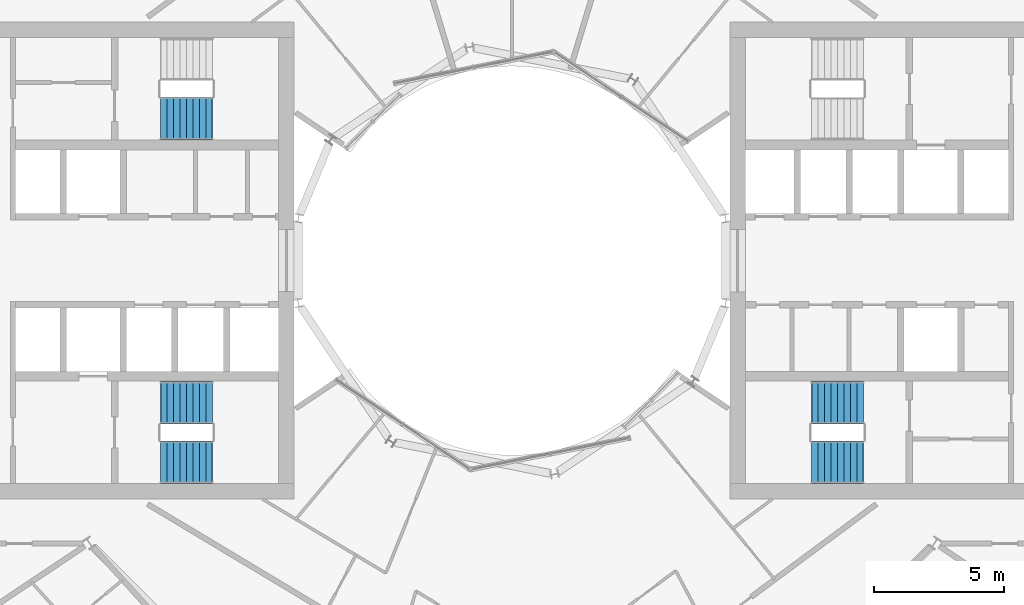
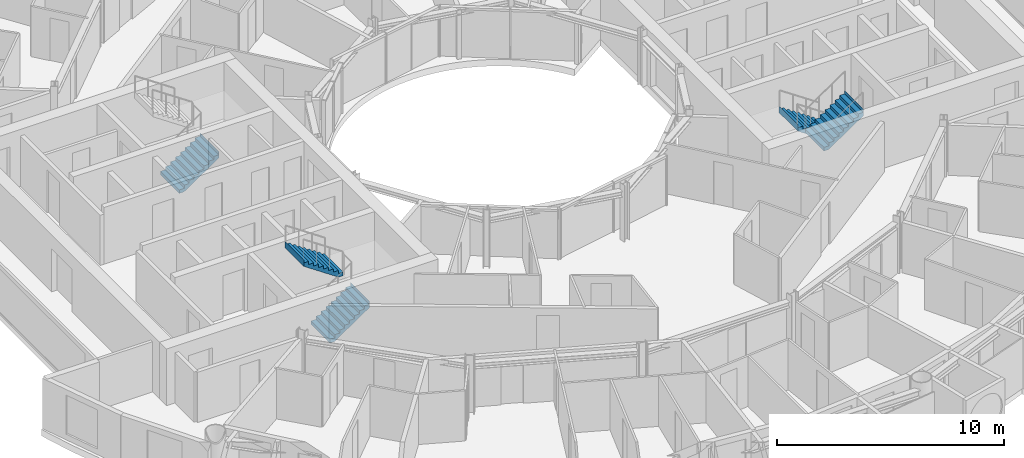
# One storey, part 24 of 27: 5 stair flights, 3 elements without a shape of their own.
"""IFC4 building model written with IfcOpenShell, lengths in metres."""

from ifc_helpers import new_model, si_unit, direction, frame, origin, place, context, subcontext, project, spatial, triangles, material, type_object, element, aggregate, save


model = new_model("IFC4")

# Units and contexts
model_context = context("Model", 3, precision=1e-05, world=origin(), true_north=direction((0.0, 1.0)))
body_context = subcontext(model_context, "Body", "Model", "MODEL_VIEW")
ifc_project = project(units=[si_unit("LENGTHUNIT", "METRE"), si_unit("AREAUNIT", "SQUARE_METRE"), si_unit("VOLUMEUNIT", "CUBIC_METRE"), si_unit("PLANEANGLEUNIT", "RADIAN"), si_unit("MASSUNIT", "GRAM", prefix="KILO")], contexts=[model_context])

# Site, building, storey
site_placement = place(None, origin())
site = spatial("IfcSite", under=ifc_project, at=site_placement, CompositionType="ELEMENT")
building_placement = place(site_placement, origin())
building = spatial("IfcBuilding", under=site, at=building_placement, Name="Maasbend Ring Residences", CompositionType="ELEMENT")
storey_placement = place(building_placement, frame((0.0, 0.0, 117.75)))
storey = spatial("IfcBuildingStorey", under=building, at=storey_placement, Name="L33", CompositionType="ELEMENT", Elevation=117.75)

# Stair, stair flights
ifc_material_1 = material(Name="Concrete C40/50", Category="concrete")
stair_type = type_object("IfcStairType", Name="CORE STAIR 18 RISERS", PredefinedType="HALF_TURN_STAIR", material=ifc_material_1)
stair_1_placement = place(storey_placement, origin())
stair_1 = element("IfcStair", 1, at=stair_1_placement, inside=storey, type_object=stair_type, Name="L33 Exit stair ST-E2", PredefinedType="HALF_TURN_STAIR")
ifc_material_2 = material(Name="Concrete C40/50", Category="concrete")
stair_flight_type = type_object("IfcStairFlightType", Name="CORE STAIR FLIGHT 1650", PredefinedType="STRAIGHT", material=ifc_material_2)
stair_flight_1_placement = place(storey_placement, frame((13.550048828125, -5.47509765625, 0.0), z_axis=(0.0, 0.0, 1.0), x_axis=(-1.0, 0.0, 0.0)))
stair_flight_1 = element("IfcStairFlight", 2, at=stair_flight_1_placement, type_object=stair_flight_type, Name="ST-E2 flight 1", NumberOfRisers=9, NumberOfTreads=8, PredefinedType="STRAIGHT", RiserHeight=0.169444444, TreadLength=0.25, context=body_context, shape_type="Tessellation", body=[
    triangles([(0.24072265625, 0.824951171875, -0.02001953125), (2.0029296875, 0.824951171875, 1.174560546875), (2.0029296875, 0.824951171875, 1.52490234375), (1.989990234375, 0.824951171875, 1.35546875), (1.75, 0.824951171875, 1.35546875), (1.75, 0.824951171875, 1.18603515625), (1.5, 0.824951171875, 1.18603515625), (1.5, 0.824951171875, 1.0166015625), (1.25, 0.824951171875, 1.0166015625), (1.25, 0.824951171875, 0.84716796875), (1.0, 0.824951171875, 0.84716796875), (1.0, 0.824951171875, 0.677734375), (0.75, 0.824951171875, 0.677734375), (0.75, 0.824951171875, 0.50830078125), (0.5, 0.824951171875, 0.50830078125), (0.5, 0.824951171875, 0.3388671875), (0.25, 0.824951171875, 0.3388671875), (0.25, 0.824951171875, 0.16943359375), (0.0, 0.824951171875, 0.16943359375), (0.0, 0.824951171875, 0.0), (-0.0029296875, 0.824951171875, 0.0), (-0.0029296875, 0.824951171875, -0.02001953125), (0.24072265625, 0.27490234375, -0.02001953125), (2.0029296875, 0.27490234375, 1.174560546875), (2.0029296875, 0.27490234375, 1.52490234375), (1.989990234375, 0.27490234375, 1.35546875), (1.75, 0.27490234375, 1.35546875), (1.75, 0.27490234375, 1.18603515625), (1.5, 0.27490234375, 1.18603515625), (1.5, 0.27490234375, 1.0166015625), (1.25, 0.27490234375, 1.0166015625), (1.25, 0.27490234375, 0.84716796875), (1.0, 0.27490234375, 0.84716796875), (1.0, 0.27490234375, 0.677734375), (0.75, 0.27490234375, 0.677734375), (0.75, 0.27490234375, 0.50830078125), (0.5, 0.27490234375, 0.50830078125), (0.5, 0.27490234375, 0.3388671875), (0.25, 0.27490234375, 0.3388671875), (0.25, 0.27490234375, 0.16943359375), (0.0, 0.27490234375, 0.16943359375), (0.0, 0.27490234375, 0.0), (-0.0029296875, 0.27490234375, 0.0), (-0.0029296875, 0.27490234375, -0.02001953125), (0.24072265625, -0.27490234375, -0.02001953125), (2.0029296875, -0.27490234375, 1.174560546875), (2.0029296875, -0.27490234375, 1.52490234375), (1.989990234375, -0.27490234375, 1.35546875), (1.75, -0.27490234375, 1.35546875), (1.75, -0.27490234375, 1.18603515625), (1.5, -0.27490234375, 1.18603515625), (1.5, -0.27490234375, 1.0166015625), (1.25, -0.27490234375, 1.0166015625), (1.25, -0.27490234375, 0.84716796875), (1.0, -0.27490234375, 0.84716796875), (1.0, -0.27490234375, 0.677734375), (0.75, -0.27490234375, 0.677734375), (0.75, -0.27490234375, 0.50830078125), (0.5, -0.27490234375, 0.50830078125), (0.5, -0.27490234375, 0.3388671875), (0.25, -0.27490234375, 0.3388671875), (0.25, -0.27490234375, 0.16943359375), (0.0, -0.27490234375, 0.16943359375), (0.0, -0.27490234375, 0.0), (-0.0029296875, -0.27490234375, 0.0), (-0.0029296875, -0.27490234375, -0.02001953125), (0.24072265625, -0.824951171875, -0.02001953125), (2.0029296875, -0.824951171875, 1.174560546875), (2.0029296875, -0.824951171875, 1.52490234375), (1.989990234375, -0.824951171875, 1.35546875), (1.75, -0.824951171875, 1.35546875), (1.75, -0.824951171875, 1.18603515625), (1.5, -0.824951171875, 1.18603515625), (1.5, -0.824951171875, 1.0166015625), (1.25, -0.824951171875, 1.0166015625), (1.25, -0.824951171875, 0.84716796875), (1.0, -0.824951171875, 0.84716796875), (1.0, -0.824951171875, 0.677734375), (0.75, -0.824951171875, 0.677734375), (0.75, -0.824951171875, 0.50830078125), (0.5, -0.824951171875, 0.50830078125), (0.5, -0.824951171875, 0.3388671875), (0.25, -0.824951171875, 0.3388671875), (0.25, -0.824951171875, 0.16943359375), (0.0, -0.824951171875, 0.16943359375), (0.0, -0.824951171875, 0.0), (-0.0029296875, -0.824951171875, 0.0), (-0.0029296875, -0.824951171875, -0.02001953125)], [[1, 2, 24], [1, 24, 23], [23, 24, 46], [23, 46, 45], [45, 46, 68], [45, 68, 67], [2, 3, 25], [2, 25, 24], [24, 25, 47], [24, 47, 46], [46, 47, 69], [46, 69, 68], [3, 4, 26], [3, 26, 25], [25, 26, 48], [25, 48, 47], [47, 48, 70], [47, 70, 69], [4, 5, 27], [4, 27, 26], [26, 27, 49], [26, 49, 48], [48, 49, 71], [48, 71, 70], [5, 6, 28], [5, 28, 27], [27, 28, 50], [27, 50, 49], [49, 50, 72], [49, 72, 71], [6, 7, 29], [6, 29, 28], [28, 29, 51], [28, 51, 50], [50, 51, 73], [50, 73, 72], [7, 8, 30], [7, 30, 29], [29, 30, 52], [29, 52, 51], [51, 52, 74], [51, 74, 73], [8, 9, 31], [8, 31, 30], [30, 31, 53], [30, 53, 52], [52, 53, 75], [52, 75, 74], [9, 10, 32], [9, 32, 31], [31, 32, 54], [31, 54, 53], [53, 54, 76], [53, 76, 75], [10, 11, 33], [10, 33, 32], [32, 33, 55], [32, 55, 54], [54, 55, 77], [54, 77, 76], [11, 12, 34], [11, 34, 33], [33, 34, 56], [33, 56, 55], [55, 56, 78], [55, 78, 77], [12, 13, 35], [12, 35, 34], [34, 35, 57], [34, 57, 56], [56, 57, 79], [56, 79, 78], [13, 14, 36], [13, 36, 35], [35, 36, 58], [35, 58, 57], [57, 58, 80], [57, 80, 79], [14, 15, 37], [14, 37, 36], [36, 37, 59], [36, 59, 58], [58, 59, 81], [58, 81, 80], [15, 16, 38], [15, 38, 37], [37, 38, 60], [37, 60, 59], [59, 60, 82], [59, 82, 81], [16, 17, 39], [16, 39, 38], [38, 39, 61], [38, 61, 60], [60, 61, 83], [60, 83, 82], [17, 18, 40], [17, 40, 39], [39, 40, 62], [39, 62, 61], [61, 62, 84], [61, 84, 83], [18, 19, 41], [18, 41, 40], [40, 41, 63], [40, 63, 62], [62, 63, 85], [62, 85, 84], [19, 20, 42], [19, 42, 41], [41, 42, 64], [41, 64, 63], [63, 64, 86], [63, 86, 85], [20, 21, 43], [20, 43, 42], [42, 43, 65], [42, 65, 64], [64, 65, 87], [64, 87, 86], [21, 22, 44], [21, 44, 43], [43, 44, 66], [43, 66, 65], [65, 66, 88], [65, 88, 87], [22, 1, 23], [22, 23, 44], [44, 23, 45], [44, 45, 66], [66, 45, 67], [66, 67, 88], [22, 2, 1], [2, 4, 3], [2, 5, 4], [2, 6, 5], [22, 6, 2], [6, 8, 7], [22, 8, 6], [8, 10, 9], [22, 10, 8], [10, 12, 11], [22, 12, 10], [12, 14, 13], [22, 14, 12], [14, 16, 15], [22, 16, 14], [16, 18, 17], [22, 18, 16], [18, 20, 19], [22, 20, 18], [20, 22, 21], [88, 67, 68], [68, 69, 70], [68, 70, 71], [68, 71, 72], [88, 68, 72], [72, 73, 74], [88, 72, 74], [74, 75, 76], [88, 74, 76], [76, 77, 78], [88, 76, 78], [78, 79, 80], [88, 78, 80], [80, 81, 82], [88, 80, 82], [82, 83, 84], [88, 82, 84], [84, 85, 86], [88, 84, 86], [86, 87, 88]], closed=True),
])
stair_flight_2_placement = place(storey_placement, frame((11.550048828125, -7.77490234375, 1.52490234375), z_axis=(0.0, 0.0, 1.0), x_axis=(1.0, 0.0, 0.0)))
stair_flight_2 = element("IfcStairFlight", 3, at=stair_flight_2_placement, type_object=stair_flight_type, Name="ST-E2 flight 2", NumberOfRisers=9, NumberOfTreads=8, PredefinedType="STRAIGHT", RiserHeight=0.169444444, TreadLength=0.25, context=body_context, shape_type="Tessellation", body=[
    triangles([(0.24072265625, 0.824951171875, -0.02001953125), (2.0029296875, 0.824951171875, 1.174560546875), (2.0029296875, 0.824951171875, 1.52490234375), (1.989990234375, 0.824951171875, 1.35546875), (1.75, 0.824951171875, 1.35546875), (1.75, 0.824951171875, 1.18603515625), (1.5, 0.824951171875, 1.18603515625), (1.5, 0.824951171875, 1.0166015625), (1.25, 0.824951171875, 1.0166015625), (1.25, 0.824951171875, 0.84716796875), (1.0, 0.824951171875, 0.84716796875), (1.0, 0.824951171875, 0.677734375), (0.75, 0.824951171875, 0.677734375), (0.75, 0.824951171875, 0.50830078125), (0.5, 0.824951171875, 0.50830078125), (0.5, 0.824951171875, 0.3388671875), (0.25, 0.824951171875, 0.3388671875), (0.25, 0.824951171875, 0.16943359375), (0.0, 0.824951171875, 0.16943359375), (0.0, 0.824951171875, 0.0), (-0.0029296875, 0.824951171875, 0.0), (-0.0029296875, 0.824951171875, -0.02001953125), (0.24072265625, 0.27490234375, -0.02001953125), (2.0029296875, 0.27490234375, 1.174560546875), (2.0029296875, 0.27490234375, 1.52490234375), (1.989990234375, 0.27490234375, 1.35546875), (1.75, 0.27490234375, 1.35546875), (1.75, 0.27490234375, 1.18603515625), (1.5, 0.27490234375, 1.18603515625), (1.5, 0.27490234375, 1.0166015625), (1.25, 0.27490234375, 1.0166015625), (1.25, 0.27490234375, 0.84716796875), (1.0, 0.27490234375, 0.84716796875), (1.0, 0.27490234375, 0.677734375), (0.75, 0.27490234375, 0.677734375), (0.75, 0.27490234375, 0.50830078125), (0.5, 0.27490234375, 0.50830078125), (0.5, 0.27490234375, 0.3388671875), (0.25, 0.27490234375, 0.3388671875), (0.25, 0.27490234375, 0.16943359375), (0.0, 0.27490234375, 0.16943359375), (0.0, 0.27490234375, 0.0), (-0.0029296875, 0.27490234375, 0.0), (-0.0029296875, 0.27490234375, -0.02001953125), (0.24072265625, -0.27490234375, -0.02001953125), (2.0029296875, -0.27490234375, 1.174560546875), (2.0029296875, -0.27490234375, 1.52490234375), (1.989990234375, -0.27490234375, 1.35546875), (1.75, -0.27490234375, 1.35546875), (1.75, -0.27490234375, 1.18603515625), (1.5, -0.27490234375, 1.18603515625), (1.5, -0.27490234375, 1.0166015625), (1.25, -0.27490234375, 1.0166015625), (1.25, -0.27490234375, 0.84716796875), (1.0, -0.27490234375, 0.84716796875), (1.0, -0.27490234375, 0.677734375), (0.75, -0.27490234375, 0.677734375), (0.75, -0.27490234375, 0.50830078125), (0.5, -0.27490234375, 0.50830078125), (0.5, -0.27490234375, 0.3388671875), (0.25, -0.27490234375, 0.3388671875), (0.25, -0.27490234375, 0.16943359375), (0.0, -0.27490234375, 0.16943359375), (0.0, -0.27490234375, 0.0), (-0.0029296875, -0.27490234375, 0.0), (-0.0029296875, -0.27490234375, -0.02001953125), (0.24072265625, -0.824951171875, -0.02001953125), (2.0029296875, -0.824951171875, 1.174560546875), (2.0029296875, -0.824951171875, 1.52490234375), (1.989990234375, -0.824951171875, 1.35546875), (1.75, -0.824951171875, 1.35546875), (1.75, -0.824951171875, 1.18603515625), (1.5, -0.824951171875, 1.18603515625), (1.5, -0.824951171875, 1.0166015625), (1.25, -0.824951171875, 1.0166015625), (1.25, -0.824951171875, 0.84716796875), (1.0, -0.824951171875, 0.84716796875), (1.0, -0.824951171875, 0.677734375), (0.75, -0.824951171875, 0.677734375), (0.75, -0.824951171875, 0.50830078125), (0.5, -0.824951171875, 0.50830078125), (0.5, -0.824951171875, 0.3388671875), (0.25, -0.824951171875, 0.3388671875), (0.25, -0.824951171875, 0.16943359375), (0.0, -0.824951171875, 0.16943359375), (0.0, -0.824951171875, 0.0), (-0.0029296875, -0.824951171875, 0.0), (-0.0029296875, -0.824951171875, -0.02001953125)], [[1, 2, 24], [1, 24, 23], [23, 24, 46], [23, 46, 45], [45, 46, 68], [45, 68, 67], [2, 3, 25], [2, 25, 24], [24, 25, 47], [24, 47, 46], [46, 47, 69], [46, 69, 68], [3, 4, 26], [3, 26, 25], [25, 26, 48], [25, 48, 47], [47, 48, 70], [47, 70, 69], [4, 5, 27], [4, 27, 26], [26, 27, 49], [26, 49, 48], [48, 49, 71], [48, 71, 70], [5, 6, 28], [5, 28, 27], [27, 28, 50], [27, 50, 49], [49, 50, 72], [49, 72, 71], [6, 7, 29], [6, 29, 28], [28, 29, 51], [28, 51, 50], [50, 51, 73], [50, 73, 72], [7, 8, 30], [7, 30, 29], [29, 30, 52], [29, 52, 51], [51, 52, 74], [51, 74, 73], [8, 9, 31], [8, 31, 30], [30, 31, 53], [30, 53, 52], [52, 53, 75], [52, 75, 74], [9, 10, 32], [9, 32, 31], [31, 32, 54], [31, 54, 53], [53, 54, 76], [53, 76, 75], [10, 11, 33], [10, 33, 32], [32, 33, 55], [32, 55, 54], [54, 55, 77], [54, 77, 76], [11, 12, 34], [11, 34, 33], [33, 34, 56], [33, 56, 55], [55, 56, 78], [55, 78, 77], [12, 13, 35], [12, 35, 34], [34, 35, 57], [34, 57, 56], [56, 57, 79], [56, 79, 78], [13, 14, 36], [13, 36, 35], [35, 36, 58], [35, 58, 57], [57, 58, 80], [57, 80, 79], [14, 15, 37], [14, 37, 36], [36, 37, 59], [36, 59, 58], [58, 59, 81], [58, 81, 80], [15, 16, 38], [15, 38, 37], [37, 38, 60], [37, 60, 59], [59, 60, 82], [59, 82, 81], [16, 17, 39], [16, 39, 38], [38, 39, 61], [38, 61, 60], [60, 61, 83], [60, 83, 82], [17, 18, 40], [17, 40, 39], [39, 40, 62], [39, 62, 61], [61, 62, 84], [61, 84, 83], [18, 19, 41], [18, 41, 40], [40, 41, 63], [40, 63, 62], [62, 63, 85], [62, 85, 84], [19, 20, 42], [19, 42, 41], [41, 42, 64], [41, 64, 63], [63, 64, 86], [63, 86, 85], [20, 21, 43], [20, 43, 42], [42, 43, 65], [42, 65, 64], [64, 65, 87], [64, 87, 86], [21, 22, 44], [21, 44, 43], [43, 44, 66], [43, 66, 65], [65, 66, 88], [65, 88, 87], [22, 1, 23], [22, 23, 44], [44, 23, 45], [44, 45, 66], [66, 45, 67], [66, 67, 88], [22, 2, 1], [2, 4, 3], [2, 5, 4], [2, 6, 5], [22, 6, 2], [6, 8, 7], [22, 8, 6], [8, 10, 9], [22, 10, 8], [10, 12, 11], [22, 12, 10], [12, 14, 13], [22, 14, 12], [14, 16, 15], [22, 16, 14], [16, 18, 17], [22, 18, 16], [18, 20, 19], [22, 20, 18], [20, 22, 21], [88, 67, 68], [68, 69, 70], [68, 70, 71], [68, 71, 72], [88, 68, 72], [72, 73, 74], [88, 72, 74], [74, 75, 76], [88, 74, 76], [76, 77, 78], [88, 76, 78], [78, 79, 80], [88, 78, 80], [80, 81, 82], [88, 80, 82], [82, 83, 84], [88, 82, 84], [84, 85, 86], [88, 84, 86], [86, 87, 88]], closed=True),
])
aggregate(stair_1, [stair_flight_1, stair_flight_2])

stair_2_placement = place(storey_placement, origin())
stair_2 = element("IfcStair", 4, at=stair_2_placement, inside=storey, type_object=stair_type, Name="L33 Exit stair ST-W1", PredefinedType="HALF_TURN_STAIR")
stair_flight_3_placement = place(storey_placement, frame((-13.550048828125, -7.77490234375, 0.0), z_axis=(0.0, 0.0, 1.0), x_axis=(1.0, 0.0, 0.0)))
stair_flight_3 = element("IfcStairFlight", 5, at=stair_flight_3_placement, type_object=stair_flight_type, Name="ST-W1 flight 1", NumberOfRisers=9, NumberOfTreads=8, PredefinedType="STRAIGHT", RiserHeight=0.169444444, TreadLength=0.25, context=body_context, shape_type="Tessellation", body=[
    triangles([(0.24072265625, 0.824951171875, -0.02001953125), (2.0029296875, 0.824951171875, 1.174560546875), (2.0029296875, 0.824951171875, 1.52490234375), (1.989990234375, 0.824951171875, 1.35546875), (1.75, 0.824951171875, 1.35546875), (1.75, 0.824951171875, 1.18603515625), (1.5, 0.824951171875, 1.18603515625), (1.5, 0.824951171875, 1.0166015625), (1.25, 0.824951171875, 1.0166015625), (1.25, 0.824951171875, 0.84716796875), (1.0, 0.824951171875, 0.84716796875), (1.0, 0.824951171875, 0.677734375), (0.75, 0.824951171875, 0.677734375), (0.75, 0.824951171875, 0.50830078125), (0.5, 0.824951171875, 0.50830078125), (0.5, 0.824951171875, 0.3388671875), (0.25, 0.824951171875, 0.3388671875), (0.25, 0.824951171875, 0.16943359375), (0.0, 0.824951171875, 0.16943359375), (0.0, 0.824951171875, 0.0), (-0.0029296875, 0.824951171875, 0.0), (-0.0029296875, 0.824951171875, -0.02001953125), (0.24072265625, 0.27490234375, -0.02001953125), (2.0029296875, 0.27490234375, 1.174560546875), (2.0029296875, 0.27490234375, 1.52490234375), (1.989990234375, 0.27490234375, 1.35546875), (1.75, 0.27490234375, 1.35546875), (1.75, 0.27490234375, 1.18603515625), (1.5, 0.27490234375, 1.18603515625), (1.5, 0.27490234375, 1.0166015625), (1.25, 0.27490234375, 1.0166015625), (1.25, 0.27490234375, 0.84716796875), (1.0, 0.27490234375, 0.84716796875), (1.0, 0.27490234375, 0.677734375), (0.75, 0.27490234375, 0.677734375), (0.75, 0.27490234375, 0.50830078125), (0.5, 0.27490234375, 0.50830078125), (0.5, 0.27490234375, 0.3388671875), (0.25, 0.27490234375, 0.3388671875), (0.25, 0.27490234375, 0.16943359375), (0.0, 0.27490234375, 0.16943359375), (0.0, 0.27490234375, 0.0), (-0.0029296875, 0.27490234375, 0.0), (-0.0029296875, 0.27490234375, -0.02001953125), (0.24072265625, -0.27490234375, -0.02001953125), (2.0029296875, -0.27490234375, 1.174560546875), (2.0029296875, -0.27490234375, 1.52490234375), (1.989990234375, -0.27490234375, 1.35546875), (1.75, -0.27490234375, 1.35546875), (1.75, -0.27490234375, 1.18603515625), (1.5, -0.27490234375, 1.18603515625), (1.5, -0.27490234375, 1.0166015625), (1.25, -0.27490234375, 1.0166015625), (1.25, -0.27490234375, 0.84716796875), (1.0, -0.27490234375, 0.84716796875), (1.0, -0.27490234375, 0.677734375), (0.75, -0.27490234375, 0.677734375), (0.75, -0.27490234375, 0.50830078125), (0.5, -0.27490234375, 0.50830078125), (0.5, -0.27490234375, 0.3388671875), (0.25, -0.27490234375, 0.3388671875), (0.25, -0.27490234375, 0.16943359375), (0.0, -0.27490234375, 0.16943359375), (0.0, -0.27490234375, 0.0), (-0.0029296875, -0.27490234375, 0.0), (-0.0029296875, -0.27490234375, -0.02001953125), (0.24072265625, -0.824951171875, -0.02001953125), (2.0029296875, -0.824951171875, 1.174560546875), (2.0029296875, -0.824951171875, 1.52490234375), (1.989990234375, -0.824951171875, 1.35546875), (1.75, -0.824951171875, 1.35546875), (1.75, -0.824951171875, 1.18603515625), (1.5, -0.824951171875, 1.18603515625), (1.5, -0.824951171875, 1.0166015625), (1.25, -0.824951171875, 1.0166015625), (1.25, -0.824951171875, 0.84716796875), (1.0, -0.824951171875, 0.84716796875), (1.0, -0.824951171875, 0.677734375), (0.75, -0.824951171875, 0.677734375), (0.75, -0.824951171875, 0.50830078125), (0.5, -0.824951171875, 0.50830078125), (0.5, -0.824951171875, 0.3388671875), (0.25, -0.824951171875, 0.3388671875), (0.25, -0.824951171875, 0.16943359375), (0.0, -0.824951171875, 0.16943359375), (0.0, -0.824951171875, 0.0), (-0.0029296875, -0.824951171875, 0.0), (-0.0029296875, -0.824951171875, -0.02001953125)], [[1, 2, 24], [1, 24, 23], [23, 24, 46], [23, 46, 45], [45, 46, 68], [45, 68, 67], [2, 3, 25], [2, 25, 24], [24, 25, 47], [24, 47, 46], [46, 47, 69], [46, 69, 68], [3, 4, 26], [3, 26, 25], [25, 26, 48], [25, 48, 47], [47, 48, 70], [47, 70, 69], [4, 5, 27], [4, 27, 26], [26, 27, 49], [26, 49, 48], [48, 49, 71], [48, 71, 70], [5, 6, 28], [5, 28, 27], [27, 28, 50], [27, 50, 49], [49, 50, 72], [49, 72, 71], [6, 7, 29], [6, 29, 28], [28, 29, 51], [28, 51, 50], [50, 51, 73], [50, 73, 72], [7, 8, 30], [7, 30, 29], [29, 30, 52], [29, 52, 51], [51, 52, 74], [51, 74, 73], [8, 9, 31], [8, 31, 30], [30, 31, 53], [30, 53, 52], [52, 53, 75], [52, 75, 74], [9, 10, 32], [9, 32, 31], [31, 32, 54], [31, 54, 53], [53, 54, 76], [53, 76, 75], [10, 11, 33], [10, 33, 32], [32, 33, 55], [32, 55, 54], [54, 55, 77], [54, 77, 76], [11, 12, 34], [11, 34, 33], [33, 34, 56], [33, 56, 55], [55, 56, 78], [55, 78, 77], [12, 13, 35], [12, 35, 34], [34, 35, 57], [34, 57, 56], [56, 57, 79], [56, 79, 78], [13, 14, 36], [13, 36, 35], [35, 36, 58], [35, 58, 57], [57, 58, 80], [57, 80, 79], [14, 15, 37], [14, 37, 36], [36, 37, 59], [36, 59, 58], [58, 59, 81], [58, 81, 80], [15, 16, 38], [15, 38, 37], [37, 38, 60], [37, 60, 59], [59, 60, 82], [59, 82, 81], [16, 17, 39], [16, 39, 38], [38, 39, 61], [38, 61, 60], [60, 61, 83], [60, 83, 82], [17, 18, 40], [17, 40, 39], [39, 40, 62], [39, 62, 61], [61, 62, 84], [61, 84, 83], [18, 19, 41], [18, 41, 40], [40, 41, 63], [40, 63, 62], [62, 63, 85], [62, 85, 84], [19, 20, 42], [19, 42, 41], [41, 42, 64], [41, 64, 63], [63, 64, 86], [63, 86, 85], [20, 21, 43], [20, 43, 42], [42, 43, 65], [42, 65, 64], [64, 65, 87], [64, 87, 86], [21, 22, 44], [21, 44, 43], [43, 44, 66], [43, 66, 65], [65, 66, 88], [65, 88, 87], [22, 1, 23], [22, 23, 44], [44, 23, 45], [44, 45, 66], [66, 45, 67], [66, 67, 88], [22, 2, 1], [2, 4, 3], [2, 5, 4], [2, 6, 5], [22, 6, 2], [6, 8, 7], [22, 8, 6], [8, 10, 9], [22, 10, 8], [10, 12, 11], [22, 12, 10], [12, 14, 13], [22, 14, 12], [14, 16, 15], [22, 16, 14], [16, 18, 17], [22, 18, 16], [18, 20, 19], [22, 20, 18], [20, 22, 21], [88, 67, 68], [68, 69, 70], [68, 70, 71], [68, 71, 72], [88, 68, 72], [72, 73, 74], [88, 72, 74], [74, 75, 76], [88, 74, 76], [76, 77, 78], [88, 76, 78], [78, 79, 80], [88, 78, 80], [80, 81, 82], [88, 80, 82], [82, 83, 84], [88, 82, 84], [84, 85, 86], [88, 84, 86], [86, 87, 88]], closed=True),
])
stair_flight_4_placement = place(storey_placement, frame((-11.550048828125, -5.47509765625, 1.52490234375), z_axis=(0.0, 0.0, 1.0), x_axis=(-1.0, 0.0, 0.0)))
stair_flight_4 = element("IfcStairFlight", 6, at=stair_flight_4_placement, type_object=stair_flight_type, Name="ST-W1 flight 2", NumberOfRisers=9, NumberOfTreads=8, PredefinedType="STRAIGHT", RiserHeight=0.169444444, TreadLength=0.25, context=body_context, shape_type="Tessellation", body=[
    triangles([(0.24072265625, 0.824951171875, -0.02001953125), (2.0029296875, 0.824951171875, 1.174560546875), (2.0029296875, 0.824951171875, 1.52490234375), (1.989990234375, 0.824951171875, 1.35546875), (1.75, 0.824951171875, 1.35546875), (1.75, 0.824951171875, 1.18603515625), (1.5, 0.824951171875, 1.18603515625), (1.5, 0.824951171875, 1.0166015625), (1.25, 0.824951171875, 1.0166015625), (1.25, 0.824951171875, 0.84716796875), (1.0, 0.824951171875, 0.84716796875), (1.0, 0.824951171875, 0.677734375), (0.75, 0.824951171875, 0.677734375), (0.75, 0.824951171875, 0.50830078125), (0.5, 0.824951171875, 0.50830078125), (0.5, 0.824951171875, 0.3388671875), (0.25, 0.824951171875, 0.3388671875), (0.25, 0.824951171875, 0.16943359375), (0.0, 0.824951171875, 0.16943359375), (0.0, 0.824951171875, 0.0), (-0.0029296875, 0.824951171875, 0.0), (-0.0029296875, 0.824951171875, -0.02001953125), (0.24072265625, 0.27490234375, -0.02001953125), (2.0029296875, 0.27490234375, 1.174560546875), (2.0029296875, 0.27490234375, 1.52490234375), (1.989990234375, 0.27490234375, 1.35546875), (1.75, 0.27490234375, 1.35546875), (1.75, 0.27490234375, 1.18603515625), (1.5, 0.27490234375, 1.18603515625), (1.5, 0.27490234375, 1.0166015625), (1.25, 0.27490234375, 1.0166015625), (1.25, 0.27490234375, 0.84716796875), (1.0, 0.27490234375, 0.84716796875), (1.0, 0.27490234375, 0.677734375), (0.75, 0.27490234375, 0.677734375), (0.75, 0.27490234375, 0.50830078125), (0.5, 0.27490234375, 0.50830078125), (0.5, 0.27490234375, 0.3388671875), (0.25, 0.27490234375, 0.3388671875), (0.25, 0.27490234375, 0.16943359375), (0.0, 0.27490234375, 0.16943359375), (0.0, 0.27490234375, 0.0), (-0.0029296875, 0.27490234375, 0.0), (-0.0029296875, 0.27490234375, -0.02001953125), (0.24072265625, -0.27490234375, -0.02001953125), (2.0029296875, -0.27490234375, 1.174560546875), (2.0029296875, -0.27490234375, 1.52490234375), (1.989990234375, -0.27490234375, 1.35546875), (1.75, -0.27490234375, 1.35546875), (1.75, -0.27490234375, 1.18603515625), (1.5, -0.27490234375, 1.18603515625), (1.5, -0.27490234375, 1.0166015625), (1.25, -0.27490234375, 1.0166015625), (1.25, -0.27490234375, 0.84716796875), (1.0, -0.27490234375, 0.84716796875), (1.0, -0.27490234375, 0.677734375), (0.75, -0.27490234375, 0.677734375), (0.75, -0.27490234375, 0.50830078125), (0.5, -0.27490234375, 0.50830078125), (0.5, -0.27490234375, 0.3388671875), (0.25, -0.27490234375, 0.3388671875), (0.25, -0.27490234375, 0.16943359375), (0.0, -0.27490234375, 0.16943359375), (0.0, -0.27490234375, 0.0), (-0.0029296875, -0.27490234375, 0.0), (-0.0029296875, -0.27490234375, -0.02001953125), (0.24072265625, -0.824951171875, -0.02001953125), (2.0029296875, -0.824951171875, 1.174560546875), (2.0029296875, -0.824951171875, 1.52490234375), (1.989990234375, -0.824951171875, 1.35546875), (1.75, -0.824951171875, 1.35546875), (1.75, -0.824951171875, 1.18603515625), (1.5, -0.824951171875, 1.18603515625), (1.5, -0.824951171875, 1.0166015625), (1.25, -0.824951171875, 1.0166015625), (1.25, -0.824951171875, 0.84716796875), (1.0, -0.824951171875, 0.84716796875), (1.0, -0.824951171875, 0.677734375), (0.75, -0.824951171875, 0.677734375), (0.75, -0.824951171875, 0.50830078125), (0.5, -0.824951171875, 0.50830078125), (0.5, -0.824951171875, 0.3388671875), (0.25, -0.824951171875, 0.3388671875), (0.25, -0.824951171875, 0.16943359375), (0.0, -0.824951171875, 0.16943359375), (0.0, -0.824951171875, 0.0), (-0.0029296875, -0.824951171875, 0.0), (-0.0029296875, -0.824951171875, -0.02001953125)], [[1, 2, 24], [1, 24, 23], [23, 24, 46], [23, 46, 45], [45, 46, 68], [45, 68, 67], [2, 3, 25], [2, 25, 24], [24, 25, 47], [24, 47, 46], [46, 47, 69], [46, 69, 68], [3, 4, 26], [3, 26, 25], [25, 26, 48], [25, 48, 47], [47, 48, 70], [47, 70, 69], [4, 5, 27], [4, 27, 26], [26, 27, 49], [26, 49, 48], [48, 49, 71], [48, 71, 70], [5, 6, 28], [5, 28, 27], [27, 28, 50], [27, 50, 49], [49, 50, 72], [49, 72, 71], [6, 7, 29], [6, 29, 28], [28, 29, 51], [28, 51, 50], [50, 51, 73], [50, 73, 72], [7, 8, 30], [7, 30, 29], [29, 30, 52], [29, 52, 51], [51, 52, 74], [51, 74, 73], [8, 9, 31], [8, 31, 30], [30, 31, 53], [30, 53, 52], [52, 53, 75], [52, 75, 74], [9, 10, 32], [9, 32, 31], [31, 32, 54], [31, 54, 53], [53, 54, 76], [53, 76, 75], [10, 11, 33], [10, 33, 32], [32, 33, 55], [32, 55, 54], [54, 55, 77], [54, 77, 76], [11, 12, 34], [11, 34, 33], [33, 34, 56], [33, 56, 55], [55, 56, 78], [55, 78, 77], [12, 13, 35], [12, 35, 34], [34, 35, 57], [34, 57, 56], [56, 57, 79], [56, 79, 78], [13, 14, 36], [13, 36, 35], [35, 36, 58], [35, 58, 57], [57, 58, 80], [57, 80, 79], [14, 15, 37], [14, 37, 36], [36, 37, 59], [36, 59, 58], [58, 59, 81], [58, 81, 80], [15, 16, 38], [15, 38, 37], [37, 38, 60], [37, 60, 59], [59, 60, 82], [59, 82, 81], [16, 17, 39], [16, 39, 38], [38, 39, 61], [38, 61, 60], [60, 61, 83], [60, 83, 82], [17, 18, 40], [17, 40, 39], [39, 40, 62], [39, 62, 61], [61, 62, 84], [61, 84, 83], [18, 19, 41], [18, 41, 40], [40, 41, 63], [40, 63, 62], [62, 63, 85], [62, 85, 84], [19, 20, 42], [19, 42, 41], [41, 42, 64], [41, 64, 63], [63, 64, 86], [63, 86, 85], [20, 21, 43], [20, 43, 42], [42, 43, 65], [42, 65, 64], [64, 65, 87], [64, 87, 86], [21, 22, 44], [21, 44, 43], [43, 44, 66], [43, 66, 65], [65, 66, 88], [65, 88, 87], [22, 1, 23], [22, 23, 44], [44, 23, 45], [44, 45, 66], [66, 45, 67], [66, 67, 88], [22, 2, 1], [2, 4, 3], [2, 5, 4], [2, 6, 5], [22, 6, 2], [6, 8, 7], [22, 8, 6], [8, 10, 9], [22, 10, 8], [10, 12, 11], [22, 12, 10], [12, 14, 13], [22, 14, 12], [14, 16, 15], [22, 16, 14], [16, 18, 17], [22, 18, 16], [18, 20, 19], [22, 20, 18], [20, 22, 21], [88, 67, 68], [68, 69, 70], [68, 70, 71], [68, 71, 72], [88, 68, 72], [72, 73, 74], [88, 72, 74], [74, 75, 76], [88, 74, 76], [76, 77, 78], [88, 76, 78], [78, 79, 80], [88, 78, 80], [80, 81, 82], [88, 80, 82], [82, 83, 84], [88, 82, 84], [84, 85, 86], [88, 84, 86], [86, 87, 88]], closed=True),
])
aggregate(stair_2, [stair_flight_3, stair_flight_4])

# Stair, stair flight
stair_3_placement = place(storey_placement, origin())
stair_3 = element("IfcStair", 7, at=stair_3_placement, inside=storey, type_object=stair_type, Name="L33 Exit stair ST-W2", PredefinedType="HALF_TURN_STAIR")
stair_flight_5_placement = place(storey_placement, frame((-13.550048828125, 5.47509765625, 0.0), z_axis=(0.0, 0.0, 1.0), x_axis=(1.0, 0.0, 0.0)))
stair_flight_5 = element("IfcStairFlight", 8, at=stair_flight_5_placement, type_object=stair_flight_type, Name="ST-W2 flight 1", NumberOfRisers=9, NumberOfTreads=8, PredefinedType="STRAIGHT", RiserHeight=0.169444444, TreadLength=0.25, context=body_context, shape_type="Tessellation", body=[
    triangles([(0.24072265625, 0.824951171875, -0.02001953125), (2.0029296875, 0.824951171875, 1.174560546875), (2.0029296875, 0.824951171875, 1.52490234375), (1.989990234375, 0.824951171875, 1.35546875), (1.75, 0.824951171875, 1.35546875), (1.75, 0.824951171875, 1.18603515625), (1.5, 0.824951171875, 1.18603515625), (1.5, 0.824951171875, 1.0166015625), (1.25, 0.824951171875, 1.0166015625), (1.25, 0.824951171875, 0.84716796875), (1.0, 0.824951171875, 0.84716796875), (1.0, 0.824951171875, 0.677734375), (0.75, 0.824951171875, 0.677734375), (0.75, 0.824951171875, 0.50830078125), (0.5, 0.824951171875, 0.50830078125), (0.5, 0.824951171875, 0.3388671875), (0.25, 0.824951171875, 0.3388671875), (0.25, 0.824951171875, 0.16943359375), (0.0, 0.824951171875, 0.16943359375), (0.0, 0.824951171875, 0.0), (-0.0029296875, 0.824951171875, 0.0), (-0.0029296875, 0.824951171875, -0.02001953125), (0.24072265625, 0.27490234375, -0.02001953125), (2.0029296875, 0.27490234375, 1.174560546875), (2.0029296875, 0.27490234375, 1.52490234375), (1.989990234375, 0.27490234375, 1.35546875), (1.75, 0.27490234375, 1.35546875), (1.75, 0.27490234375, 1.18603515625), (1.5, 0.27490234375, 1.18603515625), (1.5, 0.27490234375, 1.0166015625), (1.25, 0.27490234375, 1.0166015625), (1.25, 0.27490234375, 0.84716796875), (1.0, 0.27490234375, 0.84716796875), (1.0, 0.27490234375, 0.677734375), (0.75, 0.27490234375, 0.677734375), (0.75, 0.27490234375, 0.50830078125), (0.5, 0.27490234375, 0.50830078125), (0.5, 0.27490234375, 0.3388671875), (0.25, 0.27490234375, 0.3388671875), (0.25, 0.27490234375, 0.16943359375), (0.0, 0.27490234375, 0.16943359375), (0.0, 0.27490234375, 0.0), (-0.0029296875, 0.27490234375, 0.0), (-0.0029296875, 0.27490234375, -0.02001953125), (0.24072265625, -0.27490234375, -0.02001953125), (2.0029296875, -0.27490234375, 1.174560546875), (2.0029296875, -0.27490234375, 1.52490234375), (1.989990234375, -0.27490234375, 1.35546875), (1.75, -0.27490234375, 1.35546875), (1.75, -0.27490234375, 1.18603515625), (1.5, -0.27490234375, 1.18603515625), (1.5, -0.27490234375, 1.0166015625), (1.25, -0.27490234375, 1.0166015625), (1.25, -0.27490234375, 0.84716796875), (1.0, -0.27490234375, 0.84716796875), (1.0, -0.27490234375, 0.677734375), (0.75, -0.27490234375, 0.677734375), (0.75, -0.27490234375, 0.50830078125), (0.5, -0.27490234375, 0.50830078125), (0.5, -0.27490234375, 0.3388671875), (0.25, -0.27490234375, 0.3388671875), (0.25, -0.27490234375, 0.16943359375), (0.0, -0.27490234375, 0.16943359375), (0.0, -0.27490234375, 0.0), (-0.0029296875, -0.27490234375, 0.0), (-0.0029296875, -0.27490234375, -0.02001953125), (0.24072265625, -0.824951171875, -0.02001953125), (2.0029296875, -0.824951171875, 1.174560546875), (2.0029296875, -0.824951171875, 1.52490234375), (1.989990234375, -0.824951171875, 1.35546875), (1.75, -0.824951171875, 1.35546875), (1.75, -0.824951171875, 1.18603515625), (1.5, -0.824951171875, 1.18603515625), (1.5, -0.824951171875, 1.0166015625), (1.25, -0.824951171875, 1.0166015625), (1.25, -0.824951171875, 0.84716796875), (1.0, -0.824951171875, 0.84716796875), (1.0, -0.824951171875, 0.677734375), (0.75, -0.824951171875, 0.677734375), (0.75, -0.824951171875, 0.50830078125), (0.5, -0.824951171875, 0.50830078125), (0.5, -0.824951171875, 0.3388671875), (0.25, -0.824951171875, 0.3388671875), (0.25, -0.824951171875, 0.16943359375), (0.0, -0.824951171875, 0.16943359375), (0.0, -0.824951171875, 0.0), (-0.0029296875, -0.824951171875, 0.0), (-0.0029296875, -0.824951171875, -0.02001953125)], [[1, 2, 24], [1, 24, 23], [23, 24, 46], [23, 46, 45], [45, 46, 68], [45, 68, 67], [2, 3, 25], [2, 25, 24], [24, 25, 47], [24, 47, 46], [46, 47, 69], [46, 69, 68], [3, 4, 26], [3, 26, 25], [25, 26, 48], [25, 48, 47], [47, 48, 70], [47, 70, 69], [4, 5, 27], [4, 27, 26], [26, 27, 49], [26, 49, 48], [48, 49, 71], [48, 71, 70], [5, 6, 28], [5, 28, 27], [27, 28, 50], [27, 50, 49], [49, 50, 72], [49, 72, 71], [6, 7, 29], [6, 29, 28], [28, 29, 51], [28, 51, 50], [50, 51, 73], [50, 73, 72], [7, 8, 30], [7, 30, 29], [29, 30, 52], [29, 52, 51], [51, 52, 74], [51, 74, 73], [8, 9, 31], [8, 31, 30], [30, 31, 53], [30, 53, 52], [52, 53, 75], [52, 75, 74], [9, 10, 32], [9, 32, 31], [31, 32, 54], [31, 54, 53], [53, 54, 76], [53, 76, 75], [10, 11, 33], [10, 33, 32], [32, 33, 55], [32, 55, 54], [54, 55, 77], [54, 77, 76], [11, 12, 34], [11, 34, 33], [33, 34, 56], [33, 56, 55], [55, 56, 78], [55, 78, 77], [12, 13, 35], [12, 35, 34], [34, 35, 57], [34, 57, 56], [56, 57, 79], [56, 79, 78], [13, 14, 36], [13, 36, 35], [35, 36, 58], [35, 58, 57], [57, 58, 80], [57, 80, 79], [14, 15, 37], [14, 37, 36], [36, 37, 59], [36, 59, 58], [58, 59, 81], [58, 81, 80], [15, 16, 38], [15, 38, 37], [37, 38, 60], [37, 60, 59], [59, 60, 82], [59, 82, 81], [16, 17, 39], [16, 39, 38], [38, 39, 61], [38, 61, 60], [60, 61, 83], [60, 83, 82], [17, 18, 40], [17, 40, 39], [39, 40, 62], [39, 62, 61], [61, 62, 84], [61, 84, 83], [18, 19, 41], [18, 41, 40], [40, 41, 63], [40, 63, 62], [62, 63, 85], [62, 85, 84], [19, 20, 42], [19, 42, 41], [41, 42, 64], [41, 64, 63], [63, 64, 86], [63, 86, 85], [20, 21, 43], [20, 43, 42], [42, 43, 65], [42, 65, 64], [64, 65, 87], [64, 87, 86], [21, 22, 44], [21, 44, 43], [43, 44, 66], [43, 66, 65], [65, 66, 88], [65, 88, 87], [22, 1, 23], [22, 23, 44], [44, 23, 45], [44, 45, 66], [66, 45, 67], [66, 67, 88], [22, 2, 1], [2, 4, 3], [2, 5, 4], [2, 6, 5], [22, 6, 2], [6, 8, 7], [22, 8, 6], [8, 10, 9], [22, 10, 8], [10, 12, 11], [22, 12, 10], [12, 14, 13], [22, 14, 12], [14, 16, 15], [22, 16, 14], [16, 18, 17], [22, 18, 16], [18, 20, 19], [22, 20, 18], [20, 22, 21], [88, 67, 68], [68, 69, 70], [68, 70, 71], [68, 71, 72], [88, 68, 72], [72, 73, 74], [88, 72, 74], [74, 75, 76], [88, 74, 76], [76, 77, 78], [88, 76, 78], [78, 79, 80], [88, 78, 80], [80, 81, 82], [88, 80, 82], [82, 83, 84], [88, 82, 84], [84, 85, 86], [88, 84, 86], [86, 87, 88]], closed=True),
])
aggregate(stair_3, [stair_flight_5])

save(model, "model.ifc")
